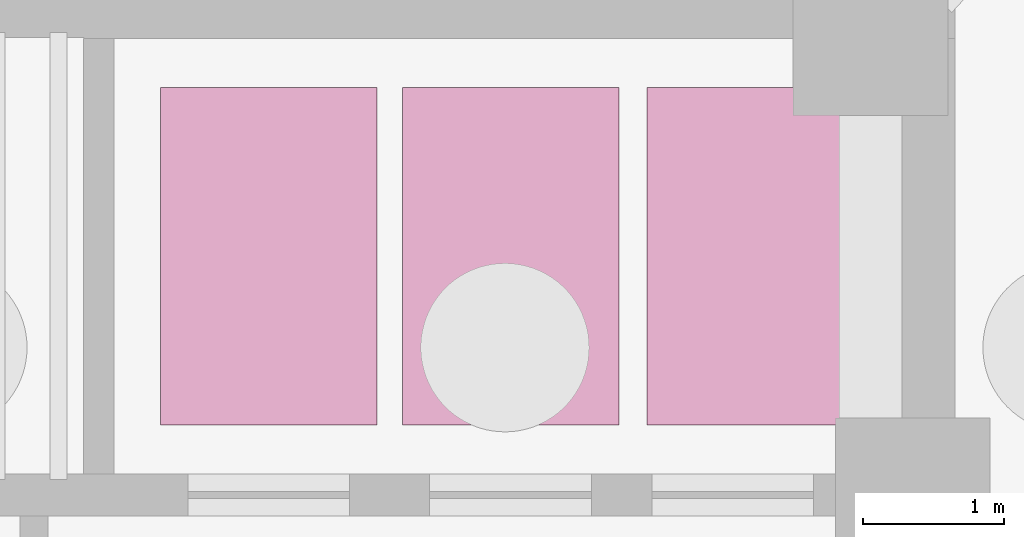
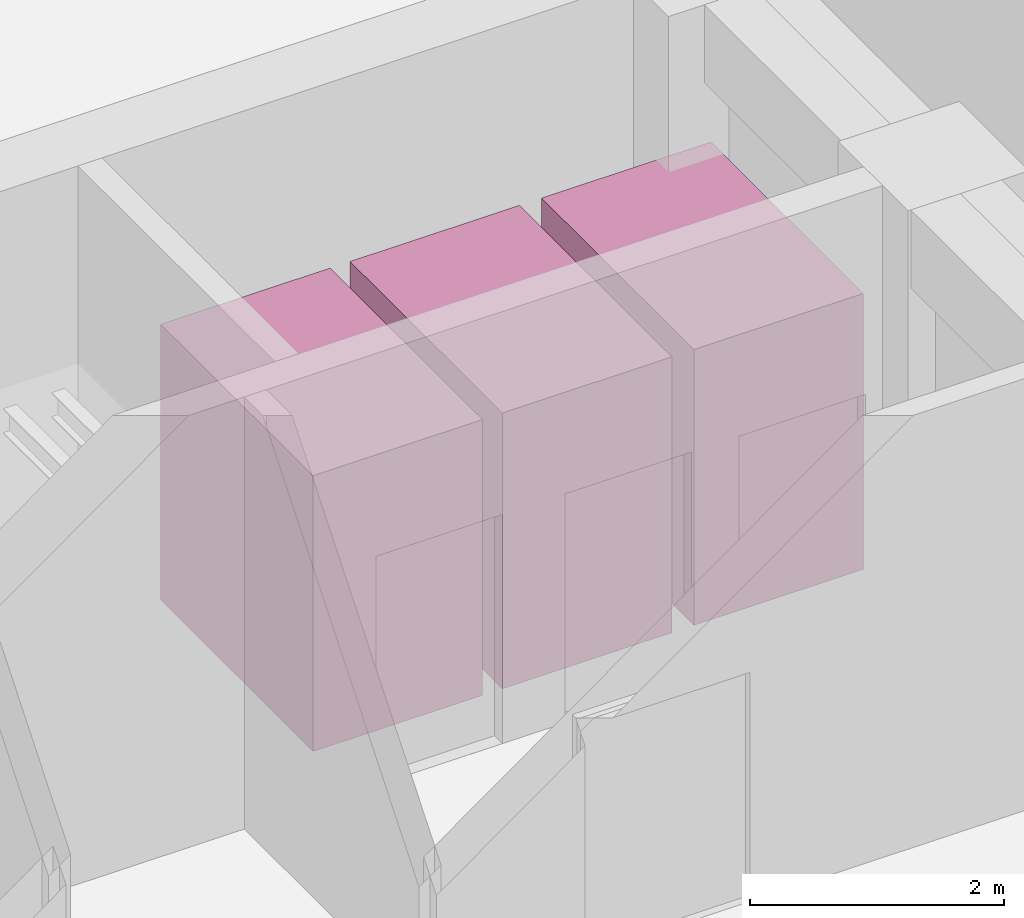
# One storey, part 11 of 11: 3 transport elements.
"""IFC4 building model written with IfcOpenShell, lengths in metres."""

from ifc_helpers import new_model, si_unit, direction, frame, origin, origin_2d, place, context, subcontext, project, spatial, rectangle, extrude, material, type_object, element, save


model = new_model("IFC4")

# Units and contexts
model_context = context("Model", 3, precision=1e-05, world=origin(), true_north=direction((0.0, 1.0)))
body_context = subcontext(model_context, "Body", "Model", "MODEL_VIEW")
ifc_project = project(units=[si_unit("LENGTHUNIT", "METRE"), si_unit("AREAUNIT", "SQUARE_METRE"), si_unit("VOLUMEUNIT", "CUBIC_METRE"), si_unit("PLANEANGLEUNIT", "RADIAN"), si_unit("MASSUNIT", "GRAM", prefix="KILO")], contexts=[model_context])

# Site, building, storey
site_placement = place(None, origin())
site = spatial("IfcSite", under=ifc_project, at=site_placement, CompositionType="ELEMENT")
building_placement = place(site_placement, origin())
building = spatial("IfcBuilding", under=site, at=building_placement, Name="Tavelor Broadcast Tower", CompositionType="ELEMENT")
storey_placement = place(building_placement, frame((0.0, 0.0, -8.699951171875)))
storey = spatial("IfcBuildingStorey", under=building, at=storey_placement, Name="B02", CompositionType="ELEMENT", Elevation=-8.699951171875)

# Transport elements
ifc_material_1 = material(Name="Fire-Rated Stainless Steel Cab", Category="steel")
transport_element_type_1 = type_object("IfcTransportElementType", Name="Dual-Supply Firefighting Lift 2000 kg 1800x2400", PredefinedType="ELEVATOR", material=ifc_material_1)
for number, where, z_axis, x_axis, name in (
    (1, (52.320068359375, 49.64990234375, 0.0), (0.0, 0.0, 1.0), (-1.0, 0.0, 0.0), "Firefighting Lift FFL1"),
    (2, (54.0400390625, 49.64990234375, 0.0), (0.0, 0.0, 1.0), (-1.0, 0.0, 0.0), "Firefighting Lift FFL2"),
):
    element("IfcTransportElement", number, at=place(storey_placement, frame(where, z_axis=z_axis, x_axis=x_axis)), inside=storey, type_object=transport_element_type_1, Name=name, PredefinedType="ELEVATOR", context=body_context, shape_type="SweptSolid", body=[
        extrude(rectangle(XDim=1.5400390625, YDim=2.39990234375, at=origin_2d()), origin(), (0.0, 0.0, 1.0), 2.64990234375),
    ])
ifc_material_2 = material(Name="Reinforced Steel Goods Lift Cab", Category="concrete")
transport_element_type_2 = type_object("IfcTransportElementType", Name="Heavy Broadcast Equipment Goods Lift 2000 kg 1800x2400", PredefinedType="ELEVATOR", material=ifc_material_2)
transport_element_placement = place(storey_placement, frame((55.780029296875, 49.64990234375, 0.0), z_axis=(0.0, 0.0, 1.0), x_axis=(-1.0, 0.0, 0.0)))
element("IfcTransportElement", 3, at=transport_element_placement, inside=storey, type_object=transport_element_type_2, Name="Broadcast Goods Lift SVL1", PredefinedType="ELEVATOR", context=body_context, shape_type="SweptSolid", body=[
    extrude(rectangle(XDim=1.5400390625, YDim=2.39990234375, at=origin_2d()), origin(), (0.0, 0.0, 1.0), 2.64990234375),
])

save(model, "model.ifc")
